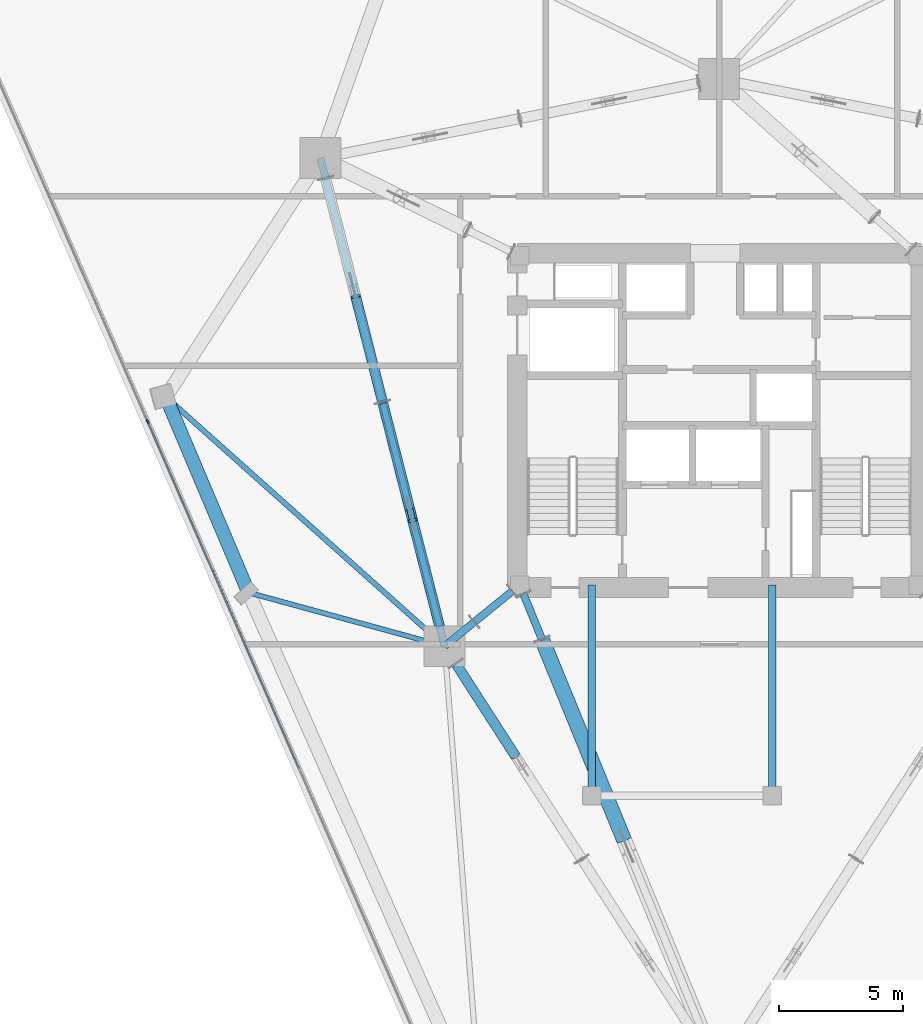
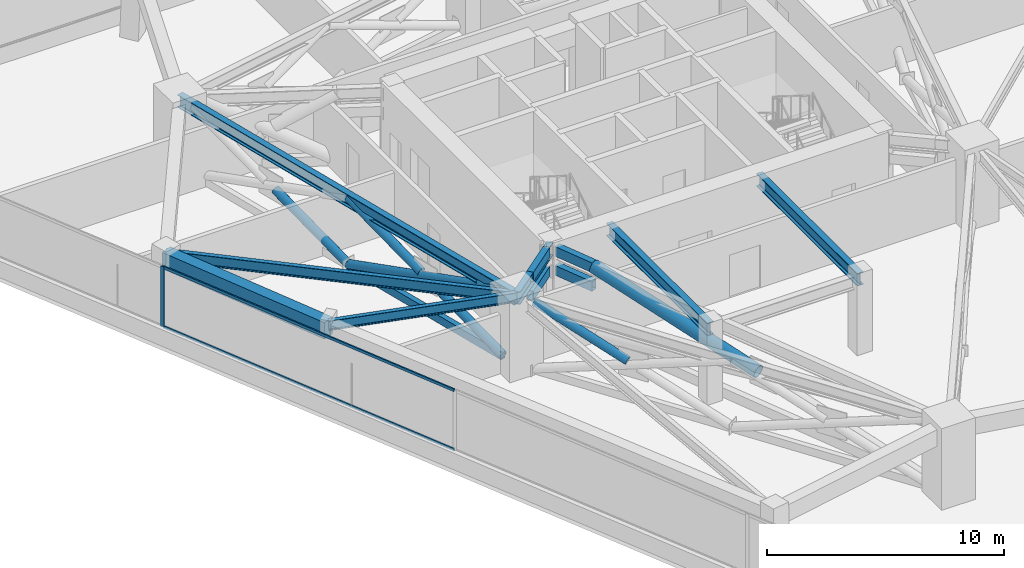
# One storey, part 4 of 14: 15 members, 7 beams, 1 element without a shape of its own.
"""IFC4 building model written with IfcOpenShell, lengths in metres."""

from ifc_helpers import new_model, si_unit, direction, frame, origin, origin_2d, place, context, subcontext, project, spatial, rectangle, hollow_rectangle, hollow_circle, i_section, extrude, material, layer, layer_set, material_profile, profile_set, type_object, element, aggregate, save


model = new_model("IFC4")

# Units and contexts
model_context = context("Model", 3, precision=1e-05, world=origin(), true_north=direction((0.0, 1.0)))
body_context = subcontext(model_context, "Body", "Model", "MODEL_VIEW")
ifc_project = project(units=[si_unit("LENGTHUNIT", "METRE"), si_unit("AREAUNIT", "SQUARE_METRE"), si_unit("VOLUMEUNIT", "CUBIC_METRE"), si_unit("PLANEANGLEUNIT", "RADIAN"), si_unit("MASSUNIT", "GRAM", prefix="KILO")], contexts=[model_context])

# Site, building, storey
site_placement = place(None, origin())
site = spatial("IfcSite", under=ifc_project, at=site_placement, CompositionType="ELEMENT")
building_placement = place(site_placement, origin())
building = spatial("IfcBuilding", under=site, at=building_placement, Name="Talyreon Biosciences Tower", CompositionType="ELEMENT")
storey_placement = place(building_placement, frame((0.0, 0.0, 123.0)))
storey = spatial("IfcBuildingStorey", under=building, at=storey_placement, Name="L32", CompositionType="ELEMENT", Elevation=123.0)

# Members
ifc_material_1 = material(Name="Steel SM355", Category="steel")
ifc_material_profile_1 = material_profile(ifc_material_1, hollow_circle(Radius=0.203125, WallThickness=0.01611328125, at=origin_2d()), Name="CHS 406.4x16")
ifc_profile_set_1 = profile_set([ifc_material_profile_1], Name="Steel SM355")
member_type_1 = type_object("IfcMemberType", Name="BeltBrace_CHS406", PredefinedType="BRACE", material=ifc_profile_set_1)
member_1_placement = place(storey_placement, frame((52.40576171875, 68.739501953125, 0.239990234375), z_axis=(-0.231402685327, 0.909542554844, 0.345232006267), x_axis=(-0.969127029246, -0.24656196216, 0.0)))
element("IfcMember", 1, at=member_1_placement, inside=storey, type_object=member_type_1, Name="L32 Split Diagonal BELT-L32-B5S1B-Lower", PredefinedType="BRACE", context=body_context, shape_type="SweptSolid", body=[
    extrude(hollow_circle(Radius=0.203125, WallThickness=0.01611328125, at=origin_2d()), origin(), (0.0, 0.0, 1.0), 4.695068359375),
])
member_2_placement = place(storey_placement, frame((52.40576171875, 68.739501953125, 0.239990234375), z_axis=(0.23138568943, -0.909544510688, 0.345238244992), x_axis=(0.969131483005, 0.246544455723, 0.0)))
element("IfcMember", 2, at=member_2_placement, inside=storey, type_object=member_type_1, Name="L32 Continuous Diagonal BELT-L32-B5S2A", PredefinedType="BRACE", context=body_context, shape_type="SweptSolid", body=[
    extrude(hollow_circle(Radius=0.203125, WallThickness=0.01611328125, at=origin_2d()), origin(), (0.0, 0.0, 1.0), 9.94970703125),
])
member_3_placement = place(storey_placement, frame((54.7080078125, 59.689697265625, 0.239990234375), z_axis=(-0.231402685327, 0.909542554844, 0.345232006267), x_axis=(-0.969127029246, -0.24656196216, 0.0)))
element("IfcMember", 3, at=member_3_placement, inside=storey, type_object=member_type_1, Name="L32 Split Diagonal BELT-L32-B5S2B-Lower", PredefinedType="BRACE", context=body_context, shape_type="SweptSolid", body=[
    extrude(hollow_circle(Radius=0.203125, WallThickness=0.01611328125, at=origin_2d()), origin(), (0.0, 0.0, 1.0), 4.695068359375),
])
member_4_placement = place(storey_placement, frame((53.491943359375, 64.46923828125, 2.05419921875), z_axis=(-0.231353468322, 0.90955349841, 0.345236160079), x_axis=(-0.969140267569, -0.246509922269, 0.0)))
element("IfcMember", 4, at=member_4_placement, inside=storey, type_object=member_type_1, Name="L32 Split Diagonal BELT-L32-B5S2B-Upper", PredefinedType="BRACE", context=body_context, shape_type="SweptSolid", body=[
    extrude(hollow_circle(Radius=0.203125, WallThickness=0.01611328125, at=origin_2d()), origin(), (0.0, 0.0, 1.0), 4.69482421875),
])
member_5_placement = place(storey_placement, frame((57.76904296875, 54.447265625, 2.0537109375), z_axis=(-0.508590410527, 0.789676647778, 0.343142224556), x_axis=(-0.840722405347, -0.541466376747, 0.0)))
element("IfcMember", 5, at=member_5_placement, inside=storey, type_object=member_type_1, Name="L32 Split Diagonal BELT-L32-B6S1B-Upper", PredefinedType="BRACE", context=body_context, shape_type="SweptSolid", body=[
    extrude(hollow_circle(Radius=0.203125, WallThickness=0.01611328125, at=origin_2d()), origin(), (0.0, 0.0, 1.0), 4.724853515625),
])
ifc_material_profile_2 = material_profile(ifc_material_1, hollow_rectangle(XDim=0.25, YDim=0.39990234375, WallThickness=0.01611328125, at=origin_2d()), Name="RHS 400x250x16")
ifc_profile_set_2 = profile_set([ifc_material_profile_2], Name="Steel SM355")
member_type_2 = type_object("IfcMemberType", Name="BeltChord_RHS400x250", PredefinedType="CHORD", material=ifc_profile_set_2)
for number, where, z_axis, x_axis, name in (
    (6, (52.40576171875, 68.739501953125, 0.239990234375), (0.246544455723, -0.969131483005, 0.0), (0.969131483005, 0.246544455723, 0.0), "L32 Truss Bottom Chord BELT-L32-B5S2"),
    (7, (52.40576171875, 68.739501953125, 3.675048828125), (0.246544455723, -0.969131483005, 0.0), (0.969131483005, 0.246544455723, 0.0), "L32 Truss Top Chord BELT-L32-B5S2"),
):
    element("IfcMember", number, at=place(storey_placement, frame(where, z_axis=z_axis, x_axis=x_axis)), inside=storey, type_object=member_type_2, Name=name, PredefinedType="CHORD", context=body_context, shape_type="SweptSolid", body=[
        extrude(hollow_rectangle(XDim=0.25, YDim=0.39990234375, WallThickness=0.01611328125, at=origin_2d()), origin(), (0.0, 0.0, 1.0), 9.338134765625),
    ])

# Curtain wall, members
ifc_material_2 = material(Name="Thermally broken aluminium and low-E glazing", Category="aluminium")
ifc_layer = layer(ifc_material_2, 0.18994140625)
ifc_layer_set = layer_set([ifc_layer], Name="Thermally broken aluminium and low-E glazing")
curtain_wall_type = type_object("IfcCurtainWallType", Name="CurtainWall_Zone2Genomics", PredefinedType="NOTDEFINED", material=ifc_layer_set)
curtain_wall_placement = place(storey_placement, origin())
curtain_wall = element("IfcCurtainWall", 8, at=curtain_wall_placement, inside=storey, type_object=curtain_wall_type, Name="L32 Unitised Curtain Wall FCW-L32-00", PredefinedType="NOTDEFINED")
ifc_material_3 = material(Name="Anodised thermally broken aluminium", Category="aluminium")
ifc_material_profile_3 = material_profile(ifc_material_3, rectangle(XDim=0.06494140625, YDim=0.179931640625, at=origin_2d()), Name="ALUM MULLION 65x180")
ifc_profile_set_3 = profile_set([ifc_material_profile_3], Name="Anodised thermally broken aluminium")
member_type_3 = type_object("IfcMemberType", Name="CWMullion_65x180", PredefinedType="MULLION", material=ifc_profile_set_3)
member_6_placement = place(storey_placement, frame((42.915283203125, 67.959716796875, 0.81005859375), z_axis=(0.0, 0.0, 1.0), x_axis=(-0.916489607057, -0.400058495919, 0.0)))
member_6 = element("IfcMember", 9, at=member_6_placement, type_object=member_type_3, Name="CW3 mullion 4", PredefinedType="MULLION", context=body_context, shape_type="SweptSolid", body=[
    extrude(rectangle(XDim=0.06494140625, YDim=0.179931640625, at=origin_2d()), origin(), (0.0, 0.0, 1.0), 3.114990234375),
])
ifc_material_profile_4 = material_profile(ifc_material_3, rectangle(XDim=0.06494140625, YDim=0.139892578125, at=origin_2d()), Name="ALUM TRANSOM 65x140")
ifc_profile_set_4 = profile_set([ifc_material_profile_4], Name="Anodised thermally broken aluminium")
member_type_4 = type_object("IfcMemberType", Name="CWTransom_65x140", PredefinedType="USERDEFINED", material=ifc_profile_set_4)
member_7_placement = place(storey_placement, frame((49.032958984375, 53.944580078125, 0.842529296875), z_axis=(-0.400056615307, 0.916490427964, 0.0), x_axis=(-0.916490427964, -0.400056615307, 0.0)))
member_7 = element("IfcMember", 10, at=member_7_placement, type_object=member_type_4, Name="CW3 transom 3.1", ObjectType="TRANSOM", PredefinedType="USERDEFINED", context=body_context, shape_type="SweptSolid", body=[
    extrude(rectangle(XDim=0.06494140625, YDim=0.139892578125, at=origin_2d()), origin(), (0.0, 0.0, 1.0), 15.259765625),
])
member_8_placement = place(storey_placement, frame((49.032958984375, 53.944580078125, 3.892578125), z_axis=(-0.400056615307, 0.916490427964, 0.0), x_axis=(-0.916490427964, -0.400056615307, 0.0)))
member_8 = element("IfcMember", 11, at=member_8_placement, type_object=member_type_4, Name="CW3 transom 3.2", ObjectType="TRANSOM", PredefinedType="USERDEFINED", context=body_context, shape_type="SweptSolid", body=[
    extrude(rectangle(XDim=0.06494140625, YDim=0.139892578125, at=origin_2d()), origin(), (0.0, 0.0, 1.0), 15.259765625),
])
aggregate(curtain_wall, [member_6, member_7, member_8])

# Beam
ifc_material_4 = material(Name="Precast concrete C45/55", Category="concrete")
ifc_material_profile_5 = material_profile(ifc_material_4, rectangle(XDim=0.550048828125, YDim=0.85009765625, at=origin_2d()), Name="RCB 550x850")
ifc_profile_set_5 = profile_set([ifc_material_profile_5], Name="Precast concrete C45/55")
beam_type_1 = type_object("IfcBeamType", Name="ExpressedSpandrel_550x850", PredefinedType="SPANDREL", material=ifc_profile_set_5)
beam_1_placement = place(storey_placement, frame((43.650634765625, 68.94970703125, 3.5), z_axis=(0.389344871427, -0.92109205354, 0.0), x_axis=(0.92109205354, 0.389344871427, 0.0)))
element("IfcBeam", 12, at=beam_1_placement, inside=storey, type_object=beam_type_1, Name="L32 Expressed Horizontal Concrete Spandrel 10", PredefinedType="SPANDREL", context=body_context, shape_type="SweptSolid", body=[
    extrude(rectangle(XDim=0.550048828125, YDim=0.85009765625, at=origin_2d()), origin(), (0.0, 0.0, 1.0), 8.58251953125),
])

# Members
ifc_material_profile_6 = material_profile(ifc_material_1, hollow_circle(Radius=0.304931640625, WallThickness=0.02490234375, at=origin_2d()), Name="CHS 610x25")
ifc_profile_set_6 = profile_set([ifc_material_profile_6], Name="Steel SM355")
member_type_5 = type_object("IfcMemberType", Name="OutriggerBrace_CHS610", PredefinedType="BRACE", material=ifc_profile_set_6)
member_9_placement = place(storey_placement, frame((62.15771484375, 51.06201171875, 2.009765625), z_axis=(-0.371906404883, 0.90931129676, 0.186650988721), x_axis=(-0.925577123958, -0.378559093942, 0.0)))
element("IfcMember", 13, at=member_9_placement, inside=storey, type_object=member_type_5, Name="L32 Split Diagonal OUT-L32-R1B-Upper", PredefinedType="BRACE", context=body_context, shape_type="SweptSolid", body=[
    extrude(hollow_circle(Radius=0.304931640625, WallThickness=0.02490234375, at=origin_2d()), origin(), (0.0, 0.0, 1.0), 8.921875),
])
ifc_material_profile_7 = material_profile(ifc_material_1, hollow_rectangle(XDim=0.300048828125, YDim=0.5, WallThickness=0.02001953125, at=origin_2d()), Name="RHS 500x300x20")
ifc_profile_set_7 = profile_set([ifc_material_profile_7], Name="Steel SM355")
member_type_6 = type_object("IfcMemberType", Name="OutriggerChord_RHS500x300", PredefinedType="CHORD", material=ifc_profile_set_7)
for number, where, z_axis, x_axis, name in (
    (14, (58.095703125, 60.99365234375, 3.675048828125), (0.378555442562, -0.925578617356, 0.0), (0.925578617356, 0.378555442562, 0.0), "L32 Outrigger Core Top Tie 1"),
    (15, (58.095703125, 60.99365234375, 2.699951171875), (0.378555442562, -0.925578617356, 0.0), (0.925578617356, 0.378555442562, 0.0), "L32 Outrigger Core Plenum Tie 1"),
    (16, (57.6513671875, 61.107177734375, 3.675048828125), (-0.775764250479, -0.631022842438, 0.0), (0.631022842438, -0.775764250479, 0.0), "L32 Outrigger Core Top Tie 6"),
    (17, (57.6513671875, 61.107177734375, 2.699951171875), (-0.775764250479, -0.631022842438, 0.0), (0.631022842438, -0.775764250479, 0.0), "L32 Outrigger Core Plenum Tie 6"),
):
    element("IfcMember", number, at=place(storey_placement, frame(where, z_axis=z_axis, x_axis=x_axis)), inside=storey, type_object=member_type_6, Name=name, PredefinedType="CHORD", context=body_context, shape_type="SweptSolid", body=[
        extrude(hollow_rectangle(XDim=0.300048828125, YDim=0.5, WallThickness=0.02001953125, at=origin_2d()), origin(), (0.0, 0.0, 1.0), 1.965087890625),
    ])

# Beams
ifc_material_profile_8 = material_profile(ifc_material_1, i_section(OverallWidth=0.300048828125, OverallDepth=0.64990234375, WebThickness=0.01611328125, FlangeThickness=0.031005859375, FilletRadius=0.027099609375, at=origin_2d()), Name="HE650B")
ifc_profile_set_8 = profile_set([ifc_material_profile_8], Name="Steel SM355")
beam_type_2 = type_object("IfcBeamType", Name="SteelBeam_HE650B", PredefinedType="BEAM", material=ifc_profile_set_8)
beam_2_placement = place(storey_placement, frame((49.897705078125, 78.5986328125, 3.60009765625), z_axis=(0.246537082299, -0.969133358755, 0.0), x_axis=(0.969133358755, 0.246537082299, 0.0)))
element("IfcBeam", 18, at=beam_2_placement, inside=storey, type_object=beam_type_2, Name="L32 Mega-Ring Girder 5", PredefinedType="BEAM", context=body_context, shape_type="SweptSolid", body=[
    extrude(i_section(OverallWidth=0.300048828125, OverallDepth=0.64990234375, WebThickness=0.01611328125, FlangeThickness=0.031005859375, FilletRadius=0.027099609375, at=origin_2d()), origin(), (0.0, 0.0, 1.0), 20.34619140625),
])
beam_3_placement = place(storey_placement, frame((57.949951171875, 61.35009765625, 3.60009765625), z_axis=(-0.775755154013, -0.631034025249, 0.0), x_axis=(0.631034025249, -0.775755154013, 0.0)))
element("IfcBeam", 19, at=beam_3_placement, inside=storey, type_object=beam_type_2, Name="L32 Radial Primary Girder 6", PredefinedType="BEAM", context=body_context, shape_type="SweptSolid", body=[
    extrude(i_section(OverallWidth=0.300048828125, OverallDepth=0.64990234375, WebThickness=0.01611328125, FlangeThickness=0.031005859375, FilletRadius=0.027099609375, at=origin_2d()), origin(), (0.0, 0.0, 1.0), 3.913818359375),
])
for number, where, z_axis, x_axis, name in (
    (20, (60.85009765625, 52.840087890625, 3.60009765625), (0.0, 1.0, 0.0), (-1.0, 0.0, 0.0), "L32 Crown Shaft Tie Girder W"),
    (21, (68.14990234375, 52.840087890625, 3.60009765625), (0.0, 1.0, 0.0), (-1.0, 0.0, 0.0), "L32 Crown Shaft Tie Girder E"),
):
    element("IfcBeam", number, at=place(storey_placement, frame(where, z_axis=z_axis, x_axis=x_axis)), inside=storey, type_object=beam_type_2, Name=name, PredefinedType="BEAM", context=body_context, shape_type="SweptSolid", body=[
        extrude(i_section(OverallWidth=0.300048828125, OverallDepth=0.64990234375, WebThickness=0.01611328125, FlangeThickness=0.031005859375, FilletRadius=0.027099609375, at=origin_2d()), origin(), (0.0, 0.0, 1.0), 8.510009765625),
    ])
ifc_material_profile_9 = material_profile(ifc_material_1, i_section(OverallWidth=0.199951171875, OverallDepth=0.5, WebThickness=0.01025390625, FlangeThickness=0.01611328125, FilletRadius=0.02099609375, at=origin_2d()), Name="IPE500")
ifc_profile_set_9 = profile_set([ifc_material_profile_9], Name="Steel SM355")
beam_type_3 = type_object("IfcBeamType", Name="SteelJoist_IPE500", PredefinedType="JOIST", material=ifc_profile_set_9)
beam_4_placement = place(storey_placement, frame((54.913818359375, 58.88037109375, 3.675048828125), z_axis=(-0.964651903259, 0.263527428437, 0.0), x_axis=(-0.263527428437, -0.964651903259, 0.0)))
element("IfcBeam", 22, at=beam_4_placement, inside=storey, type_object=beam_type_3, Name="L32 Radial Composite Floor Joist PL-SW", PredefinedType="JOIST", context=body_context, shape_type="SweptSolid", body=[
    extrude(i_section(OverallWidth=0.199951171875, OverallDepth=0.5, WebThickness=0.01025390625, FlangeThickness=0.01611328125, FilletRadius=0.02099609375, at=origin_2d()), origin(), (0.0, 0.0, 1.0), 8.2119140625),
])
ifc_material_profile_10 = material_profile(ifc_material_1, i_section(OverallWidth=0.2099609375, OverallDepth=0.550048828125, WebThickness=0.010986328125, FlangeThickness=0.01708984375, FilletRadius=0.02392578125, at=origin_2d()), Name="IPE550")
ifc_profile_set_10 = profile_set([ifc_material_profile_10], Name="Steel SM355")
beam_type_4 = type_object("IfcBeamType", Name="SteelJoist_IPE550", PredefinedType="JOIST", material=ifc_profile_set_10)
beam_5_placement = place(storey_placement, frame((54.913818359375, 58.88037109375, 3.64990234375), z_axis=(-0.745512585977, 0.666491548446, 0.0), x_axis=(-0.666491548446, -0.745512585977, 0.0)))
element("IfcBeam", 23, at=beam_5_placement, inside=storey, type_object=beam_type_4, Name="L32 Radial Composite Floor Joist PC-SW1", PredefinedType="JOIST", context=body_context, shape_type="SweptSolid", body=[
    extrude(i_section(OverallWidth=0.2099609375, OverallDepth=0.550048828125, WebThickness=0.010986328125, FlangeThickness=0.01708984375, FilletRadius=0.02392578125, at=origin_2d()), origin(), (0.0, 0.0, 1.0), 15.10791015625),
])

save(model, "model.ifc")
